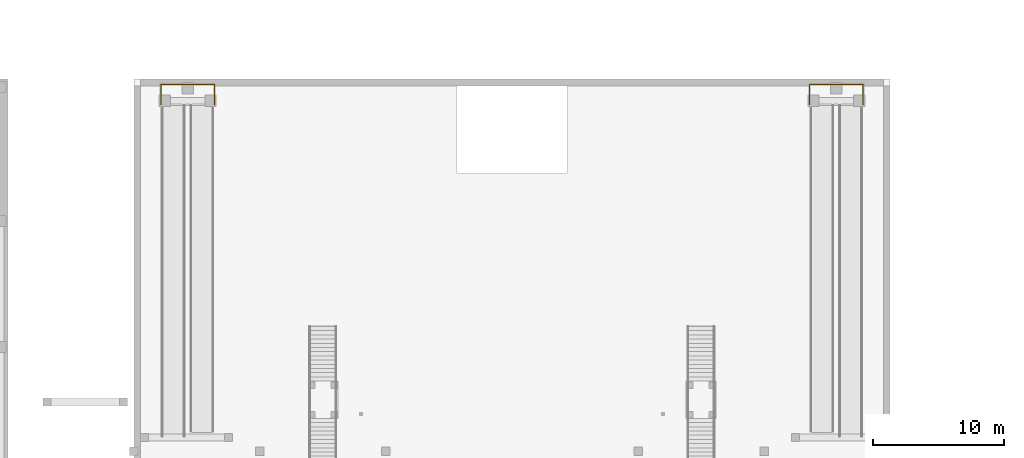
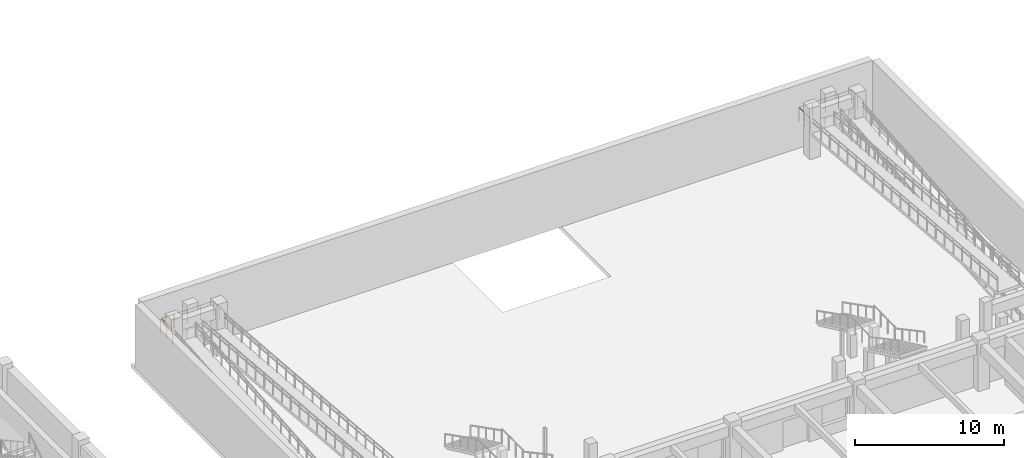
# One storey, part 39 of 39: 2 railings.
"""IFC4 building model written with IfcOpenShell, lengths in metres."""

from ifc_helpers import new_model, si_unit, direction, frame, origin, origin_2d, place, context, subcontext, project, spatial, circle, extrude, material, type_object, element, save


model = new_model("IFC4")

# Units and contexts
model_context = context("Model", 3, precision=1e-05, world=origin(), true_north=direction((0.0, 1.0)))
body_context = subcontext(model_context, "Body", "Model", "MODEL_VIEW")
ifc_project = project(units=[si_unit("LENGTHUNIT", "METRE"), si_unit("AREAUNIT", "SQUARE_METRE"), si_unit("VOLUMEUNIT", "CUBIC_METRE"), si_unit("PLANEANGLEUNIT", "RADIAN"), si_unit("MASSUNIT", "GRAM", prefix="KILO")], contexts=[model_context])

# Site, building, storey
site_placement = place(None, origin())
site = spatial("IfcSite", under=ifc_project, at=site_placement, CompositionType="ELEMENT")
building_placement = place(site_placement, origin())
building = spatial("IfcBuilding", under=site, at=building_placement, Name="Nakhvara Creek Congress Hotel", CompositionType="ELEMENT")
storey_placement = place(building_placement, frame((0.0, 0.0, -4.199951171875)))
storey = spatial("IfcBuildingStorey", under=building, at=storey_placement, Name="B1", CompositionType="ELEMENT", Elevation=-4.199951171875)

# Railings
ifc_material = material(Name="Bronze-anodised aluminium and laminated safety glass balustrade", Category="aluminium")
railing_type = type_object("IfcRailingType", Name="RL-BALUS-1200", PredefinedType="BALUSTRADE", material=ifc_material)
for number, where, name in (
    (1, (69.260009765625, 124.06005859375, 2.099853515625), "Ramp Mid-Landing Guard PR01"),
    (2, (118.659912109375, 124.06005859375, 2.099853515625), "Ramp Mid-Landing Guard PR02"),
):
    element("IfcRailing", number, at=place(storey_placement, frame(where)), inside=storey, type_object=railing_type, Name=name, PredefinedType="BALUSTRADE", context=body_context, shape_type="SweptSolid", body=[
        extrude(circle(Radius=0.02392578125, at=origin_2d()), frame((0.0, 0.0146484375, 1.17578125), z_axis=(0.0, 1.0, 0.0), x_axis=(-1.0, 0.0, 0.0)), (0.0, 0.0, 1.0), 1.500732421875),
        extrude(circle(Radius=0.02392578125, at=origin_2d()), frame((0.0146484375, 1.530029296875, 1.17578125), z_axis=(1.0, 0.0, 0.0), x_axis=(0.0, 1.0, 0.0)), (0.0, 0.0, 1.0), 4.05078125),
        extrude(circle(Radius=0.02392578125, at=origin_2d()), frame((4.080078125, 1.515380859375, 1.17578125), z_axis=(0.0, -1.0, 0.0), x_axis=(1.0, 0.0, 0.0)), (0.0, 0.0, 1.0), 1.500732421875),
        extrude(circle(Radius=0.02099609375, at=origin_2d()), origin(), (0.0, 0.0, 1.0), 1.1806640625),
        extrude(circle(Radius=0.02099609375, at=origin_2d()), frame((0.0, 0.76513671875, 0.0)), (0.0, 0.0, 1.0), 1.1806640625),
        extrude(circle(Radius=0.02099609375, at=origin_2d()), frame((0.0, 1.530029296875, 0.0)), (0.0, 0.0, 1.0), 1.1806640625),
        extrude(circle(Radius=0.02099609375, at=origin_2d()), frame((1.02001953125, 1.530029296875, 0.0)), (0.0, 0.0, 1.0), 1.1806640625),
        extrude(circle(Radius=0.02099609375, at=origin_2d()), frame((2.0400390625, 1.530029296875, 0.0)), (0.0, 0.0, 1.0), 1.1806640625),
        extrude(circle(Radius=0.02099609375, at=origin_2d()), frame((3.06005859375, 1.530029296875, 0.0)), (0.0, 0.0, 1.0), 1.1806640625),
        extrude(circle(Radius=0.02099609375, at=origin_2d()), frame((4.080078125, 1.530029296875, 0.0)), (0.0, 0.0, 1.0), 1.1806640625),
        extrude(circle(Radius=0.02099609375, at=origin_2d()), frame((4.080078125, 0.76513671875, 0.0)), (0.0, 0.0, 1.0), 1.1806640625),
        extrude(circle(Radius=0.02099609375, at=origin_2d()), frame((4.080078125, 0.0, 0.0)), (0.0, 0.0, 1.0), 1.1806640625),
    ])

save(model, "model.ifc")
